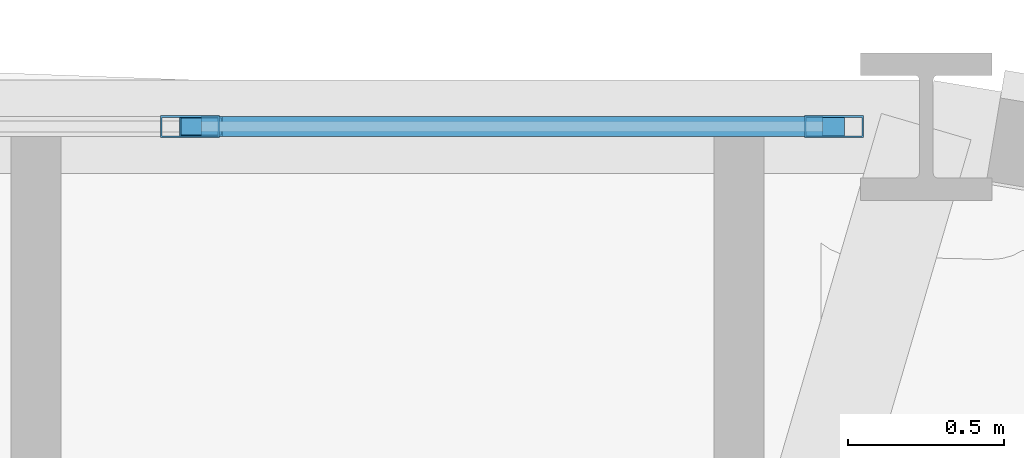
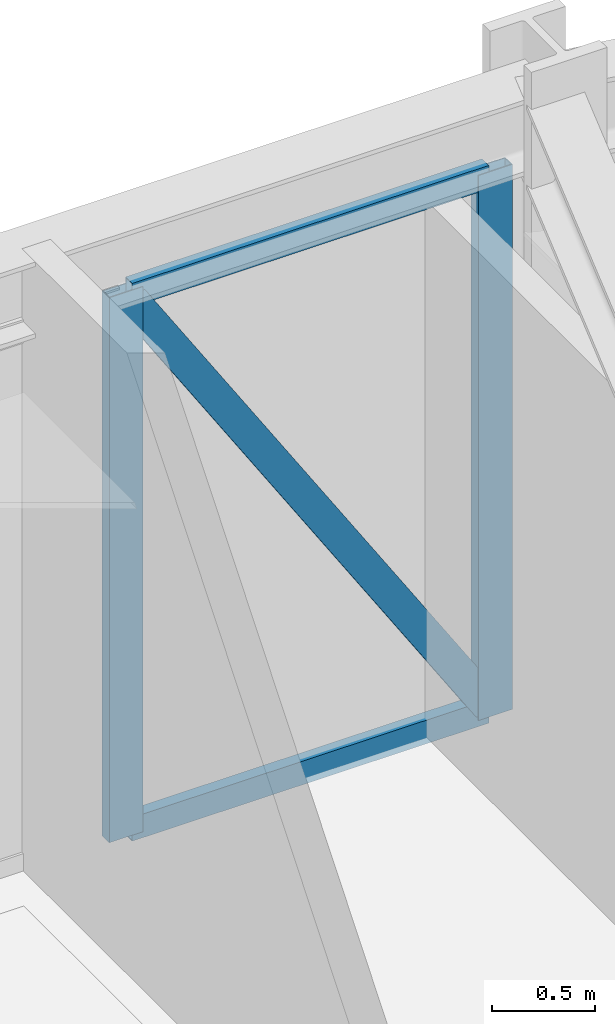
# One storey, part 12 of 20: 5 members, 1 element without a shape of its own.
"""IFC4 building model written with IfcOpenShell, lengths in metres."""

import ifcopenshell
import ifcopenshell.guid

model = None  # the IFC model being written
_history = None  # IfcOwnerHistory: only IFC2X3 demands one
_inside = {}  # id of a spatial element -> (the spatial element, [elements in it])
_under = {}  # id of a project, library or spatial element -> (it, [spatial elements below it])
_declared = {}  # id of a project -> (the project, [libraries it declares])
_typed = {}  # id of a type object -> (the type object, [elements of that type])
_made_of = {}  # id of a material, layer set ... -> (it, [elements and type objects made of it])


def new_model(schema):
    """Start an empty IFC model of exactly this schema.

    Asked for "IFC4X3", IfcOpenShell would pick the latest addendum, in which some entities
    have other attributes; the version numbers below select the first issue.
    IFC2X3 requires an IfcOwnerHistory on every rooted entity: one is made here for all.
    """
    global model, _history
    if schema == "IFC4X3":
        model = ifcopenshell.file(schema_version=(4, 3, 0, 0))
    else:
        model = ifcopenshell.file(schema=schema)
    _inside.clear()
    _under.clear()
    _declared.clear()
    _typed.clear()
    _made_of.clear()
    _history = None
    if model.schema == "IFC2X3":
        org = make("IfcOrganization", Name="unknown")
        user = make(
            "IfcPersonAndOrganization",
            ThePerson=make("IfcPerson", FamilyName="unknown"),
            TheOrganization=org,
        )
        app = make(
            "IfcApplication",
            ApplicationDeveloper=org,
            Version="unknown",
            ApplicationFullName="unknown",
            ApplicationIdentifier="unknown",
        )
        _history = make(
            "IfcOwnerHistory",
            OwningUser=user,
            OwningApplication=app,
            ChangeAction="ADDED",
            CreationDate=0,
        )
    return model


def make(cls, **values):
    """One entity of the class cls with the attributes given. An attribute that is None is left unset."""
    return model.create_entity(
        cls, **{name: value for name, value in values.items() if value is not None}
    )


def rooted(cls, **values):
    """An entity with a GlobalId (a new one), such as an element, a storey or a relation."""
    return make(cls, GlobalId=ifcopenshell.guid.new(), OwnerHistory=_history, **values)


def si_unit(unit_type, name, prefix=None):
    """IfcSIUnit, for example si_unit("LENGTHUNIT", "METRE", prefix="MILLI")."""
    return make("IfcSIUnit", UnitType=unit_type, Prefix=prefix, Name=name)


def derived_unit(unit_type, elements):
    """IfcDerivedUnit: a product of units, each with its exponent."""
    return make(
        "IfcDerivedUnit",
        Elements=[
            make("IfcDerivedUnitElement", Unit=unit, Exponent=power)
            for unit, power in elements
        ],
        UnitType=unit_type,
    )


def assignment(units):
    """IfcUnitAssignment: the units of a project."""
    return None if units is None else make("IfcUnitAssignment", Units=units)


def point(xyz):
    """IfcCartesianPoint."""
    return None if xyz is None else make("IfcCartesianPoint", Coordinates=xyz)


def direction(xyz):
    """IfcDirection."""
    return None if xyz is None else make("IfcDirection", DirectionRatios=xyz)


def frame(location, z_axis=None, x_axis=None):
    """IfcAxis2Placement3D, a coordinate frame: its origin and axes. An axis left out is left unset."""
    return make(
        "IfcAxis2Placement3D",
        Location=point(location),
        Axis=direction(z_axis),
        RefDirection=direction(x_axis),
    )


def frame_2d(location, x_axis=None):
    """IfcAxis2Placement2D, a coordinate frame in the plane: its origin and x axis."""
    return make(
        "IfcAxis2Placement2D", Location=point(location), RefDirection=direction(x_axis)
    )


def origin():
    """The frame at (0, 0, 0) with its axes left unset."""
    return frame((0.0, 0.0, 0.0))


def origin_2d():
    """The frame at (0, 0) in the plane with its x axis left unset."""
    return frame_2d((0.0, 0.0))


def place(relative_to, where):
    """IfcLocalPlacement: puts the frame where relative to a parent placement (None: the world)."""
    return make(
        "IfcLocalPlacement", PlacementRelTo=relative_to, RelativePlacement=where
    )


def context(
    kind, dimensions, precision=None, world=None, true_north=None, identifier=None
):
    """IfcGeometricRepresentationContext, for example the 3D "Model" context."""
    return make(
        "IfcGeometricRepresentationContext",
        ContextIdentifier=identifier,
        ContextType=kind,
        CoordinateSpaceDimension=dimensions,
        Precision=precision,
        WorldCoordinateSystem=world,
        TrueNorth=true_north,
    )


def subcontext(parent, identifier, kind, view, scale=None):
    """IfcGeometricRepresentationSubContext, for example "Body" below "Model"."""
    return make(
        "IfcGeometricRepresentationSubContext",
        ContextIdentifier=identifier,
        ContextType=kind,
        ParentContext=parent,
        TargetScale=scale,
        TargetView=view,
    )


def project(units=None, contexts=None):
    """IfcProject with its units and contexts."""
    return rooted(
        "IfcProject",
        Name="project",
        RepresentationContexts=contexts,
        UnitsInContext=assignment(units),
    )


def spatial(cls, under=None, at=None, **own):
    """A site, building, storey or space (cls), placed at a placement, below another one or the project."""
    s = rooted(cls, ObjectPlacement=at, **own)
    if under is not None:
        _under.setdefault(under.id(), (under, []))[1].append(s)
    return s


def profile(cls, at=None, kind="AREA", **sizes):
    """A parametric profile (cls). Its sizes go by their IFC names, for example OverallWidth=200.0."""
    return make(cls, ProfileType=kind, Position=at, **sizes)


def hollow_rectangle(**sizes):
    """IfcRectangleHollowProfileDef."""
    return profile("IfcRectangleHollowProfileDef", **sizes)


def extrude(swept, where, along, depth):
    """IfcExtrudedAreaSolid: the profile swept, set in the frame where, extruded along a direction by depth."""
    return make(
        "IfcExtrudedAreaSolid",
        SweptArea=swept,
        Position=where,
        ExtrudedDirection=direction(along),
        Depth=depth,
    )


def shape(context_of_items, identifier, shape_type, items):
    """IfcShapeRepresentation: the items that make up one representation, for example the "Body"."""
    return make(
        "IfcShapeRepresentation",
        ContextOfItems=context_of_items,
        RepresentationIdentifier=identifier,
        RepresentationType=shape_type,
        Items=items,
    )


def source(mapping_origin, context_of_items, identifier, shape_type, items):
    """IfcRepresentationMap: a shape defined once, which mapped items show again and again."""
    return make(
        "IfcRepresentationMap",
        MappingOrigin=mapping_origin,
        MappedRepresentation=shape(context_of_items, identifier, shape_type, items),
    )


def transform(
    local_origin,
    x_axis=None,
    y_axis=None,
    z_axis=None,
    scale=None,
    scale2=None,
    scale3=None,
    uniform=True,
):
    """IfcCartesianTransformationOperator3D, or its non-uniform kind. x_axis, y_axis, z_axis: its Axis1, 2, 3."""
    if uniform:
        return make(
            "IfcCartesianTransformationOperator3D",
            Axis1=direction(x_axis),
            Axis2=direction(y_axis),
            LocalOrigin=point(local_origin),
            Scale=scale,
            Axis3=direction(z_axis),
        )
    return make(
        "IfcCartesianTransformationOperator3DnonUniform",
        Axis1=direction(x_axis),
        Axis2=direction(y_axis),
        LocalOrigin=point(local_origin),
        Scale=scale,
        Axis3=direction(z_axis),
        Scale2=scale2,
        Scale3=scale3,
    )


def mapped(mapping_source, mapping_target):
    """IfcMappedItem: shows the shape of a source again, moved by a transform."""
    return make(
        "IfcMappedItem", MappingSource=mapping_source, MappingTarget=mapping_target
    )


def material(Name=None, Category=None):
    """IfcMaterial."""
    return make("IfcMaterial", Name=Name, Category=Category)


def layer(
    of_material, thickness, ventilated=None, Name=None, Category=None, Priority=None
):
    """IfcMaterialLayer: one layer of a wall or slab, of a material (None: an air gap)."""
    return make(
        "IfcMaterialLayer",
        Material=of_material,
        LayerThickness=thickness,
        IsVentilated=ventilated,
        Name=Name,
        Category=Category,
        Priority=Priority,
    )


def layer_set(layers, Name=None):
    """IfcMaterialLayerSet."""
    return make("IfcMaterialLayerSet", MaterialLayers=layers, LayerSetName=Name)


def material_profile(
    of_material, cross_section, Name=None, Category=None, Priority=None
):
    """IfcMaterialProfile: a cross section and its material."""
    return make(
        "IfcMaterialProfile",
        Name=Name,
        Material=of_material,
        Profile=cross_section,
        Priority=Priority,
        Category=Category,
    )


def profile_set(profiles, Name=None, composite=None):
    """IfcMaterialProfileSet."""
    return make(
        "IfcMaterialProfileSet",
        Name=Name,
        MaterialProfiles=profiles,
        CompositeProfile=composite,
    )


def made_of(thing, what):
    """Note that an element or type object is made of a material, layer set ...; save() writes the relation."""
    if what is not None:
        _made_of.setdefault(what.id(), (what, []))[1].append(thing)
    return thing


def type_object(cls, material=None, **own):
    """A type object (cls), such as IfcWallType, which elements share."""
    return made_of(rooted(cls, **own), material)


def element(
    cls,
    number,
    at=None,
    inside=None,
    cuts=None,
    type_object=None,
    material=None,
    context=None,
    identifier="Body",
    shape_type=None,
    held_by="IfcProductDefinitionShape",
    body=None,
    shapes=None,
    **own,
):
    """One element of the class cls, such as IfcWall. Its Tag is "e" and its number.

    at: its placement. inside: the storey or other place that contains it. cuts: it is an
    opening in that element (IfcRelVoidsElement). A single representation is given by context,
    identifier, shape_type and body (its items); several are given by shapes. held_by: the class
    of the entity that holds the representations. save() writes the other relations.
    """
    e = rooted(cls, Tag="e%d" % number, ObjectPlacement=at, **own)
    if body is not None:
        shapes = [shape(context, identifier, shape_type, body)]
    if shapes is not None:
        e.Representation = make(held_by, Representations=shapes)
    if inside is not None:
        _inside.setdefault(inside.id(), (inside, []))[1].append(e)
    if cuts is not None:
        rooted(
            "IfcRelVoidsElement", RelatingBuildingElement=cuts, RelatedOpeningElement=e
        )
    if type_object is not None:
        _typed.setdefault(type_object.id(), (type_object, []))[1].append(e)
    return made_of(e, material)


def aggregate(whole, parts):
    """IfcRelAggregates: a whole, such as a stair, and the parts it consists of."""
    return rooted("IfcRelAggregates", RelatingObject=whole, RelatedObjects=parts)


def save(model, path):
    """Write the relations noted so far, then the file.

    IfcRelAggregates (storeys below a building ...), IfcRelContainedInSpatialStructure (elements
    in a storey), IfcRelDefinesByType, IfcRelAssociatesMaterial and IfcRelDeclares: one each for
    every whole, place, type object, material and project.
    """
    for whole, parts in _under.values():
        aggregate(whole, parts)
    for where, things in _inside.values():
        rooted(
            "IfcRelContainedInSpatialStructure",
            RelatedElements=things,
            RelatingStructure=where,
        )
    for kind, things in _typed.values():
        rooted("IfcRelDefinesByType", RelatedObjects=things, RelatingType=kind)
    for what, things in _made_of.values():
        rooted("IfcRelAssociatesMaterial", RelatedObjects=things, RelatingMaterial=what)
    for by, libraries in _declared.values():
        rooted("IfcRelDeclares", RelatingContext=by, RelatedDefinitions=libraries)
    model.write(path)


model = new_model("IFC4")

# Units and contexts
model_context = context("Model", 3, precision=1e-05, world=origin(), true_north=direction((0.0, 1.0)))
body_context = subcontext(model_context, "Body", "Model", "MODEL_VIEW")
ifc_project = project(units=[si_unit("LENGTHUNIT", "METRE"), si_unit("AREAUNIT", "SQUARE_METRE"), si_unit("VOLUMEUNIT", "CUBIC_METRE"), si_unit("PLANEANGLEUNIT", "RADIAN"), si_unit("MASSUNIT", "GRAM", prefix="KILO"), derived_unit("THERMALTRANSMITTANCEUNIT", [(si_unit("POWERUNIT", "WATT"), 1), (si_unit("LENGTHUNIT", "METRE"), -2), (si_unit("THERMODYNAMICTEMPERATUREUNIT", "KELVIN"), -1)])], contexts=[model_context])

# Site, building, storey
site_placement = place(None, origin())
site = spatial("IfcSite", under=ifc_project, at=site_placement, CompositionType="ELEMENT")
building_placement = place(site_placement, origin())
building = spatial("IfcBuilding", under=site, at=building_placement, Name="Korsvarv Bourse and Concert Hall", CompositionType="ELEMENT")
storey_placement = place(building_placement, frame((0.0, 0.0, 67.800048828125)))
storey = spatial("IfcBuildingStorey", under=building, at=storey_placement, Name="L16", CompositionType="ELEMENT", Elevation=67.800048828125)

# Curtain wall, members
ifc_material_1 = material(Name="Anodised aluminium and triple low-E glazing", Category="glass")
ifc_layer = layer(ifc_material_1, 0.219970703125)
ifc_layer_set = layer_set([ifc_layer], Name="Anodised aluminium and triple low-E glazing")
curtain_wall_type = type_object("IfcCurtainWallType", Name="CW-SYS-1", PredefinedType="NOTDEFINED", material=ifc_layer_set)
curtain_wall_placement = place(storey_placement, origin())
curtain_wall = element("IfcCurtainWall", 1, at=curtain_wall_placement, inside=storey, type_object=curtain_wall_type, Name="L16 CW1 curtain wall CW-L16-F03", PredefinedType="NOTDEFINED")
ifc_material_2 = material(Name="Extruded aluminium EN AW-6063 T66", Category="aluminium")
ifc_material_profile_1 = material_profile(ifc_material_2, hollow_rectangle(XDim=0.070068359375, YDim=0.18994140625, WallThickness=0.0048828125, at=origin_2d()), Name="ALU-M 70x190")
ifc_profile_set_1 = profile_set([ifc_material_profile_1], Name="Extruded aluminium EN AW-6063 T66")
member_type_1 = type_object("IfcMemberType", Name="CWM-190", PredefinedType="MULLION", material=ifc_profile_set_1)
shared_shape_1 = source(origin(), body_context, "Body", "SweptSolid", [
    extrude(hollow_rectangle(XDim=0.070068359375, YDim=0.18994140625, WallThickness=0.0048828125, at=origin_2d()), origin(), (0.0, 0.0, 1.0), 3.22998046875),
])
member_1_placement = place(storey_placement, frame((47.52978515625, 56.376708984375, 0.0), z_axis=(0.0, 0.0, 1.0), x_axis=(0.0, -1.0, 0.0)))
member_1 = element("IfcMember", 2, at=member_1_placement, type_object=member_type_1, Name="CW1 mullion 1", PredefinedType="MULLION", context=body_context, shape_type="MappedRepresentation", body=[
    mapped(shared_shape_1, transform((0.0, 0.0, 0.0), scale=1.0)),
])
member_2_placement = place(storey_placement, frame((45.46044921875, 56.376708984375, 0.0), z_axis=(0.0, 0.0, 1.0), x_axis=(0.0, -1.0, 0.0)))
member_2 = element("IfcMember", 3, at=member_2_placement, type_object=member_type_1, Name="CW1 mullion 2", PredefinedType="MULLION", context=body_context, shape_type="MappedRepresentation", body=[
    mapped(shared_shape_1, transform((0.0, 0.0, 0.0), scale=1.0)),
])
ifc_material_profile_2 = material_profile(ifc_material_2, hollow_rectangle(XDim=0.06494140625, YDim=0.139892578125, WallThickness=0.00390625, at=origin_2d()), Name="ALU-T 65x140")
ifc_profile_set_2 = profile_set([ifc_material_profile_2], Name="Extruded aluminium EN AW-6063 T66")
member_type_2 = type_object("IfcMemberType", Name="CWT-140", PredefinedType="USERDEFINED", material=ifc_profile_set_2)
shared_shape_2 = source(origin(), body_context, "Body", "SweptSolid", [
    extrude(hollow_rectangle(XDim=0.06494140625, YDim=0.139892578125, WallThickness=0.00390625, at=origin_2d()), origin(), (0.0, 0.0, 1.0), 1.9990234375),
])
member_3_placement = place(storey_placement, frame((47.49462890625, 56.376708984375, 0.032470703125), z_axis=(-1.0, 0.0, 0.0), x_axis=(0.0, -1.0, 0.0)))
member_3 = element("IfcMember", 4, at=member_3_placement, type_object=member_type_2, Name="CW1 transom 1.1", ObjectType="TRANSOM", PredefinedType="USERDEFINED", context=body_context, shape_type="MappedRepresentation", body=[
    mapped(shared_shape_2, transform((0.0, 0.0, 0.0), scale=1.0)),
])
member_4_placement = place(storey_placement, frame((47.49462890625, 56.376708984375, 3.197509765625), z_axis=(-1.0, 0.0, 0.0), x_axis=(0.0, -1.0, 0.0)))
member_4 = element("IfcMember", 5, at=member_4_placement, type_object=member_type_2, Name="CW1 transom 1.2", ObjectType="TRANSOM", PredefinedType="USERDEFINED", context=body_context, shape_type="MappedRepresentation", body=[
    mapped(shared_shape_2, transform((0.0, 0.0, 0.0), scale=1.0)),
])
ifc_material_profile_3 = material_profile(ifc_material_2, hollow_rectangle(XDim=0.06494140625, YDim=0.1650390625, WallThickness=0.0048828125, at=origin_2d()), Name="ALU-M 65x165")
ifc_profile_set_3 = profile_set([ifc_material_profile_3], Name="Extruded aluminium EN AW-6063 T66")
member_type_3 = type_object("IfcMemberType", Name="CWM-165", PredefinedType="MULLION", material=ifc_profile_set_3)
shared_shape_3 = source(origin(), body_context, "Body", "SweptSolid", [
    extrude(hollow_rectangle(XDim=0.06494140625, YDim=0.1650390625, WallThickness=0.0048828125, at=origin_2d()), origin(), (0.0, 0.0, 1.0), 3.688720703125),
])
member_5_placement = place(storey_placement, frame((47.49462890625, 56.376708984375, 0.06494140625), z_axis=(-0.541927860088, 0.0, 0.840425008231), x_axis=(0.0, -1.0, 0.0)))
member_5 = element("IfcMember", 6, at=member_5_placement, type_object=member_type_3, Name="CW1 diagonal mullion 1", PredefinedType="MULLION", context=body_context, shape_type="MappedRepresentation", body=[
    mapped(shared_shape_3, transform((0.0, 0.0, 0.0), scale=1.0)),
])
aggregate(curtain_wall, [member_1, member_2, member_3, member_4, member_5])

save(model, "model.ifc")
